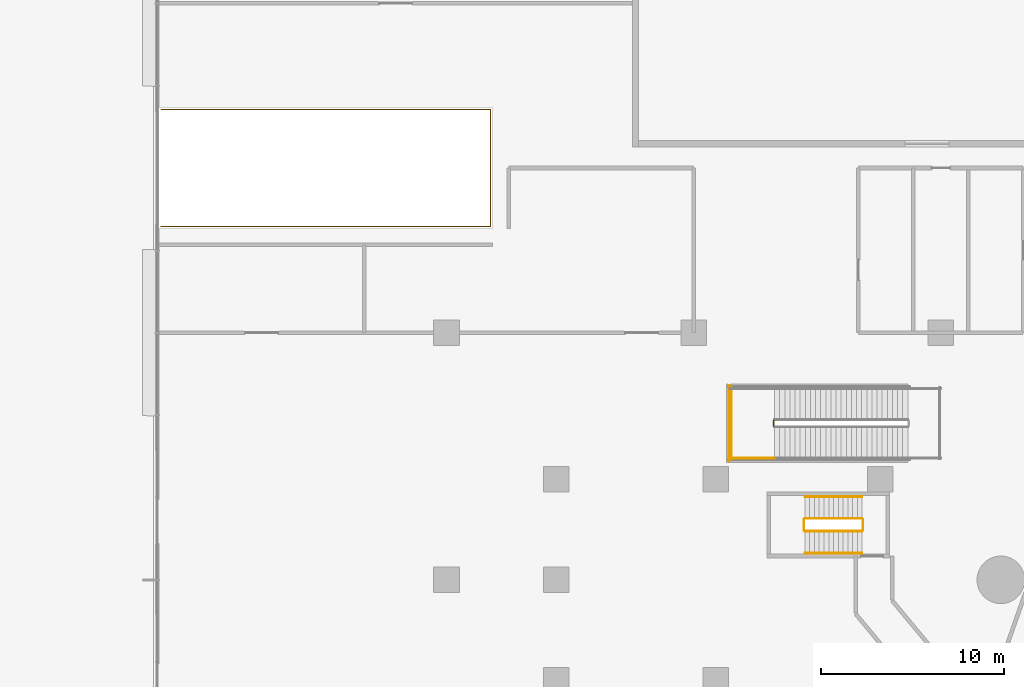
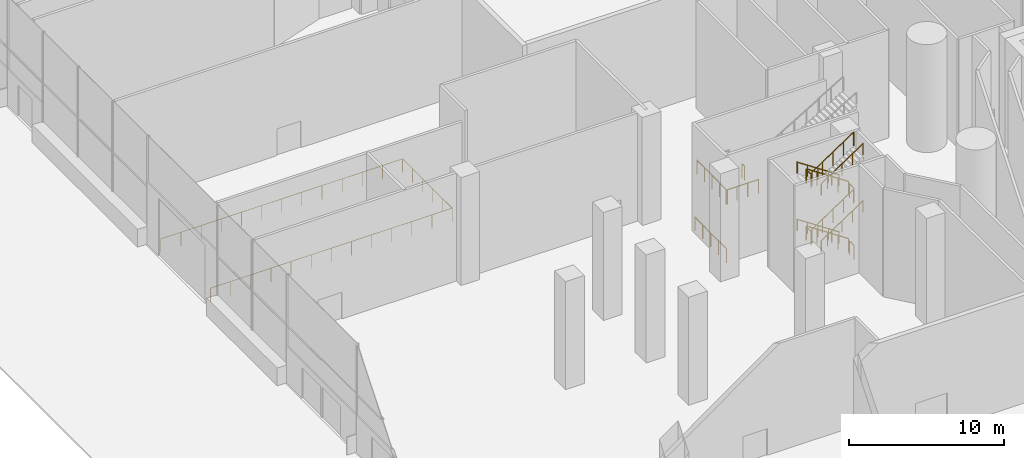
# One storey, part 45 of 54: 17 railings.
"""IFC4 building model written with IfcOpenShell, lengths in metres."""

from ifc_helpers import new_model, si_unit, direction, frame, origin, origin_2d, place, context, subcontext, project, spatial, circle, extrude, material, type_object, element, save


model = new_model("IFC4")

# Units and contexts
model_context = context("Model", 3, precision=1e-05, world=origin(), true_north=direction((0.0, 1.0)))
body_context = subcontext(model_context, "Body", "Model", "MODEL_VIEW")
ifc_project = project(units=[si_unit("LENGTHUNIT", "METRE"), si_unit("AREAUNIT", "SQUARE_METRE"), si_unit("VOLUMEUNIT", "CUBIC_METRE"), si_unit("PLANEANGLEUNIT", "RADIAN"), si_unit("MASSUNIT", "GRAM", prefix="KILO")], contexts=[model_context])

# Site, building, storey
site_placement = place(None, origin())
site = spatial("IfcSite", under=ifc_project, at=site_placement, CompositionType="ELEMENT")
building_placement = place(site_placement, origin())
building = spatial("IfcBuilding", under=site, at=building_placement, Name="Tamarind Cross Interchange Tower", CompositionType="ELEMENT")
storey_placement = place(building_placement, origin())
storey = spatial("IfcBuildingStorey", under=building, at=storey_placement, Name="L00", CompositionType="ELEMENT", Elevation=0.0)

# Railings
ifc_material_1 = material(Name="Public stair guard")
railing_type_1 = type_object("IfcRailingType", Name="Public stair guard", PredefinedType="GUARDRAIL", material=ifc_material_1)
railing_1_placement = place(storey_placement, frame((-36.1298828125, 8.699951171875, 4.5)))
element("IfcRailing", 1, at=railing_1_placement, inside=storey, type_object=railing_type_1, Name="L00 PS-W stair guard 2", PredefinedType="GUARDRAIL", context=body_context, shape_type="SweptSolid", body=[
    extrude(circle(Radius=0.02392578125, at=origin_2d()), frame((0.0, 0.0, 1.076171875), z_axis=(0.0, -1.0, 0.0), x_axis=(1.0, 0.0, 0.0)), (0.0, 0.0, 1.0), 0.300048828125),
    extrude(circle(Radius=0.02099609375, at=origin_2d()), origin(), (0.0, 0.0, 1.0), 1.052001953125),
    extrude(circle(Radius=0.02099609375, at=origin_2d()), frame((0.0, -0.300048828125, 0.0)), (0.0, 0.0, 1.0), 1.052001953125),
])
railing_2_placement = place(storey_placement, frame((-36.080078125, 6.64990234375, 4.5)))
element("IfcRailing", 2, at=railing_2_placement, inside=storey, type_object=railing_type_1, Name="L00 PS-W stair guard 4", PredefinedType="GUARDRAIL", context=body_context, shape_type="SweptSolid", body=[
    extrude(circle(Radius=0.02392578125, at=origin_2d()), frame((0.0, 0.0, 1.076171875), z_axis=(-1.0, 0.0, 0.0), x_axis=(0.0, -1.0, 0.0)), (0.0, 0.0, 1.0), 2.419921875),
    extrude(circle(Radius=0.02099609375, at=origin_2d()), origin(), (0.0, 0.0, 1.0), 1.052001953125),
    extrude(circle(Radius=0.02099609375, at=origin_2d()), frame((-0.806640625, 0.0, 0.0)), (0.0, 0.0, 1.0), 1.052001953125),
    extrude(circle(Radius=0.02099609375, at=origin_2d()), frame((-1.61328125, 0.0, 0.0)), (0.0, 0.0, 1.0), 1.052001953125),
    extrude(circle(Radius=0.02099609375, at=origin_2d()), frame((-2.419921875, 0.0, 0.0)), (0.0, 0.0, 1.0), 1.052001953125),
])
railing_3_placement = place(storey_placement, frame((-38.449951171875, 10.5, 4.5)))
element("IfcRailing", 3, at=railing_3_placement, inside=storey, type_object=railing_type_1, Name="L00 PS-W stair guard 5", PredefinedType="GUARDRAIL", context=body_context, shape_type="SweptSolid", body=[
    extrude(circle(Radius=0.02392578125, at=origin_2d()), frame((0.0, 0.0, 1.076171875), z_axis=(0.0, -1.0, 0.0), x_axis=(1.0, 0.0, 0.0)), (0.0, 0.0, 1.0), 3.89990234375),
    extrude(circle(Radius=0.02099609375, at=origin_2d()), origin(), (0.0, 0.0, 1.0), 1.052001953125),
    extrude(circle(Radius=0.02099609375, at=origin_2d()), frame((0.0, -0.97509765625, 0.0)), (0.0, 0.0, 1.0), 1.052001953125),
    extrude(circle(Radius=0.02099609375, at=origin_2d()), frame((0.0, -1.949951171875, 0.0)), (0.0, 0.0, 1.0), 1.052001953125),
    extrude(circle(Radius=0.02099609375, at=origin_2d()), frame((0.0, -2.9248046875, 0.0)), (0.0, 0.0, 1.0), 1.052001953125),
    extrude(circle(Radius=0.02099609375, at=origin_2d()), frame((0.0, -3.89990234375, 0.0)), (0.0, 0.0, 1.0), 1.052001953125),
])
railing_4_placement = place(storey_placement, frame((-38.550048828125, 10.60009765625, 0.0)))
element("IfcRailing", 4, at=railing_4_placement, inside=storey, type_object=railing_type_1, Name="L00 PS-W stair guard 13", PredefinedType="GUARDRAIL", context=body_context, shape_type="SweptSolid", body=[
    extrude(circle(Radius=0.02392578125, at=origin_2d()), frame((0.0, 0.0, 1.076171875), z_axis=(0.0, -1.0, 0.0), x_axis=(1.0, 0.0, 0.0)), (0.0, 0.0, 1.0), 4.10009765625),
    extrude(circle(Radius=0.02099609375, at=origin_2d()), origin(), (0.0, 0.0, 1.0), 1.052001953125),
    extrude(circle(Radius=0.02099609375, at=origin_2d()), frame((0.0, -1.02490234375, 0.0)), (0.0, 0.0, 1.0), 1.052001953125),
    extrude(circle(Radius=0.02099609375, at=origin_2d()), frame((0.0, -2.050048828125, 0.0)), (0.0, 0.0, 1.0), 1.052001953125),
    extrude(circle(Radius=0.02099609375, at=origin_2d()), frame((0.0, -3.0751953125, 0.0)), (0.0, 0.0, 1.0), 1.052001953125),
    extrude(circle(Radius=0.02099609375, at=origin_2d()), frame((0.0, -4.10009765625, 0.0)), (0.0, 0.0, 1.0), 1.052001953125),
])
ifc_material_2 = material(Name="Steel Q355B", Category="steel")
railing_type_2 = type_object("IfcRailingType", Name="Slab opening guard", PredefinedType="GUARDRAIL", material=ifc_material_2)
railing_5_placement = place(storey_placement, frame((-69.60009765625, 25.699951171875, 0.0)))
element("IfcRailing", 5, at=railing_5_placement, inside=storey, type_object=railing_type_2, Name="L00 ramp opening guard 1", PredefinedType="GUARDRAIL", context=body_context, shape_type="SweptSolid", body=[
    extrude(circle(Radius=0.02392578125, at=origin_2d()), frame((0.0, 0.0, 1.076171875), z_axis=(1.0, 0.0, 0.0), x_axis=(0.0, 1.0, 0.0)), (0.0, 0.0, 1.0), 18.0),
    extrude(circle(Radius=0.02392578125, at=origin_2d()), frame((18.0, 0.0, 1.076171875), z_axis=(0.0, -1.0, 0.0), x_axis=(1.0, 0.0, 0.0)), (0.0, 0.0, 1.0), 6.39990234375),
    extrude(circle(Radius=0.02392578125, at=origin_2d()), frame((18.0, -6.39990234375, 1.076171875), z_axis=(-1.0, 0.0, 0.0), x_axis=(0.0, -1.0, 0.0)), (0.0, 0.0, 1.0), 18.0),
    extrude(circle(Radius=0.02099609375, at=origin_2d()), origin(), (0.0, 0.0, 1.0), 1.052001953125),
    extrude(circle(Radius=0.02099609375, at=origin_2d()), frame((1.5, 0.0, 0.0)), (0.0, 0.0, 1.0), 1.052001953125),
    extrude(circle(Radius=0.02099609375, at=origin_2d()), frame((3.0, 0.0, 0.0)), (0.0, 0.0, 1.0), 1.052001953125),
    extrude(circle(Radius=0.02099609375, at=origin_2d()), frame((4.5, 0.0, 0.0)), (0.0, 0.0, 1.0), 1.052001953125),
    extrude(circle(Radius=0.02099609375, at=origin_2d()), frame((6.0, 0.0, 0.0)), (0.0, 0.0, 1.0), 1.052001953125),
    extrude(circle(Radius=0.02099609375, at=origin_2d()), frame((7.5, 0.0, 0.0)), (0.0, 0.0, 1.0), 1.052001953125),
    extrude(circle(Radius=0.02099609375, at=origin_2d()), frame((9.0, 0.0, 0.0)), (0.0, 0.0, 1.0), 1.052001953125),
    extrude(circle(Radius=0.02099609375, at=origin_2d()), frame((10.5, 0.0, 0.0)), (0.0, 0.0, 1.0), 1.052001953125),
    extrude(circle(Radius=0.02099609375, at=origin_2d()), frame((12.0, 0.0, 0.0)), (0.0, 0.0, 1.0), 1.052001953125),
    extrude(circle(Radius=0.02099609375, at=origin_2d()), frame((13.5, 0.0, 0.0)), (0.0, 0.0, 1.0), 1.052001953125),
    extrude(circle(Radius=0.02099609375, at=origin_2d()), frame((15.0, 0.0, 0.0)), (0.0, 0.0, 1.0), 1.052001953125),
    extrude(circle(Radius=0.02099609375, at=origin_2d()), frame((16.5, 0.0, 0.0)), (0.0, 0.0, 1.0), 1.052001953125),
    extrude(circle(Radius=0.02099609375, at=origin_2d()), frame((18.0, 0.0, 0.0)), (0.0, 0.0, 1.0), 1.052001953125),
    extrude(circle(Radius=0.02099609375, at=origin_2d()), frame((18.0, -1.280029296875, 0.0)), (0.0, 0.0, 1.0), 1.052001953125),
    extrude(circle(Radius=0.02099609375, at=origin_2d()), frame((18.0, -2.56005859375, 0.0)), (0.0, 0.0, 1.0), 1.052001953125),
    extrude(circle(Radius=0.02099609375, at=origin_2d()), frame((18.0, -3.83984375, 0.0)), (0.0, 0.0, 1.0), 1.052001953125),
    extrude(circle(Radius=0.02099609375, at=origin_2d()), frame((18.0, -5.119873046875, 0.0)), (0.0, 0.0, 1.0), 1.052001953125),
    extrude(circle(Radius=0.02099609375, at=origin_2d()), frame((18.0, -6.39990234375, 0.0)), (0.0, 0.0, 1.0), 1.052001953125),
    extrude(circle(Radius=0.02099609375, at=origin_2d()), frame((16.5, -6.39990234375, 0.0)), (0.0, 0.0, 1.0), 1.052001953125),
    extrude(circle(Radius=0.02099609375, at=origin_2d()), frame((15.0, -6.39990234375, 0.0)), (0.0, 0.0, 1.0), 1.052001953125),
    extrude(circle(Radius=0.02099609375, at=origin_2d()), frame((13.5, -6.39990234375, 0.0)), (0.0, 0.0, 1.0), 1.052001953125),
    extrude(circle(Radius=0.02099609375, at=origin_2d()), frame((12.0, -6.39990234375, 0.0)), (0.0, 0.0, 1.0), 1.052001953125),
    extrude(circle(Radius=0.02099609375, at=origin_2d()), frame((10.5, -6.39990234375, 0.0)), (0.0, 0.0, 1.0), 1.052001953125),
    extrude(circle(Radius=0.02099609375, at=origin_2d()), frame((9.0, -6.39990234375, 0.0)), (0.0, 0.0, 1.0), 1.052001953125),
    extrude(circle(Radius=0.02099609375, at=origin_2d()), frame((7.5, -6.39990234375, 0.0)), (0.0, 0.0, 1.0), 1.052001953125),
    extrude(circle(Radius=0.02099609375, at=origin_2d()), frame((6.0, -6.39990234375, 0.0)), (0.0, 0.0, 1.0), 1.052001953125),
    extrude(circle(Radius=0.02099609375, at=origin_2d()), frame((4.5, -6.39990234375, 0.0)), (0.0, 0.0, 1.0), 1.052001953125),
    extrude(circle(Radius=0.02099609375, at=origin_2d()), frame((3.0, -6.39990234375, 0.0)), (0.0, 0.0, 1.0), 1.052001953125),
    extrude(circle(Radius=0.02099609375, at=origin_2d()), frame((1.5, -6.39990234375, 0.0)), (0.0, 0.0, 1.0), 1.052001953125),
    extrude(circle(Radius=0.02099609375, at=origin_2d()), frame((0.0, -6.39990234375, 0.0)), (0.0, 0.0, 1.0), 1.052001953125),
])
ifc_material_3 = material(Name="Stair guard")
railing_type_3 = type_object("IfcRailingType", Name="Stair guard", PredefinedType="GUARDRAIL", material=ifc_material_3)
railing_6_placement = place(storey_placement, frame((-31.300048828125, 3.35009765625, 0.173095703125)))
element("IfcRailing", 6, at=railing_6_placement, inside=storey, type_object=railing_type_3, Name="L00 ST5 stair guard 1", PredefinedType="GUARDRAIL", context=body_context, shape_type="SweptSolid", body=[
    extrude(circle(Radius=0.02392578125, at=origin_2d()), frame((0.0, 0.0, 1.076171875), z_axis=(-0.832420903958, 0.0, 0.554143879018), x_axis=(0.0, -1.0, 0.0)), (0.0, 0.0, 1.0), 3.748046875),
    extrude(circle(Radius=0.02099609375, at=origin_2d()), origin(), (0.0, 0.0, 1.0), 1.052001953125),
    extrude(circle(Radius=0.02099609375, at=origin_2d()), frame((-0.780029296875, 0.0, 0.519287109375)), (0.0, 0.0, 1.0), 1.052001953125),
    extrude(circle(Radius=0.02099609375, at=origin_2d()), frame((-1.56005859375, 0.0, 1.03857421875)), (0.0, 0.0, 1.0), 1.052001953125),
    extrude(circle(Radius=0.02099609375, at=origin_2d()), frame((-2.33984375, 0.0, 1.5576171875)), (0.0, 0.0, 1.0), 1.052001953125),
    extrude(circle(Radius=0.02099609375, at=origin_2d()), frame((-3.119873046875, 0.0, 2.076904296875)), (0.0, 0.0, 1.0), 1.052001953125),
])
railing_7_placement = place(storey_placement, frame((-34.469970703125, 3.300048828125, 2.25)))
element("IfcRailing", 7, at=railing_7_placement, inside=storey, type_object=railing_type_3, Name="L00 ST5 stair guard 2", PredefinedType="GUARDRAIL", context=body_context, shape_type="SweptSolid", body=[
    extrude(circle(Radius=0.02392578125, at=origin_2d()), frame((0.0, 0.0, 1.076171875), z_axis=(0.0, -1.0, 0.0), x_axis=(1.0, 0.0, 0.0)), (0.0, 0.0, 1.0), 0.60009765625),
    extrude(circle(Radius=0.02099609375, at=origin_2d()), origin(), (0.0, 0.0, 1.0), 1.052001953125),
    extrude(circle(Radius=0.02099609375, at=origin_2d()), frame((0.0, -0.60009765625, 0.0)), (0.0, 0.0, 1.0), 1.052001953125),
])
railing_8_placement = place(storey_placement, frame((-34.419921875, 2.64990234375, 2.423095703125)))
element("IfcRailing", 8, at=railing_8_placement, inside=storey, type_object=railing_type_3, Name="L00 ST5 stair guard 3", PredefinedType="GUARDRAIL", context=body_context, shape_type="SweptSolid", body=[
    extrude(circle(Radius=0.02392578125, at=origin_2d()), frame((0.0, 0.0, 1.076171875), z_axis=(0.832420903958, 0.0, 0.554143879018), x_axis=(0.0, 1.0, 0.0)), (0.0, 0.0, 1.0), 3.748046875),
    extrude(circle(Radius=0.02099609375, at=origin_2d()), origin(), (0.0, 0.0, 1.0), 1.052001953125),
    extrude(circle(Radius=0.02099609375, at=origin_2d()), frame((0.780029296875, 0.0, 0.519287109375)), (0.0, 0.0, 1.0), 1.052001953125),
    extrude(circle(Radius=0.02099609375, at=origin_2d()), frame((1.56005859375, 0.0, 1.03857421875)), (0.0, 0.0, 1.0), 1.052001953125),
    extrude(circle(Radius=0.02099609375, at=origin_2d()), frame((2.33984375, 0.0, 1.5576171875)), (0.0, 0.0, 1.0), 1.052001953125),
    extrude(circle(Radius=0.02099609375, at=origin_2d()), frame((3.119873046875, 0.0, 2.076904296875)), (0.0, 0.0, 1.0), 1.052001953125),
])
railing_9_placement = place(storey_placement, frame((-31.25, 3.300048828125, 4.5)))
element("IfcRailing", 9, at=railing_9_placement, inside=storey, type_object=railing_type_3, Name="L00 ST5 stair guard 4", PredefinedType="GUARDRAIL", context=body_context, shape_type="SweptSolid", body=[
    extrude(circle(Radius=0.02392578125, at=origin_2d()), frame((0.0, 0.0, 1.076171875), z_axis=(0.0, -1.0, 0.0), x_axis=(1.0, 0.0, 0.0)), (0.0, 0.0, 1.0), 0.60009765625),
    extrude(circle(Radius=0.02099609375, at=origin_2d()), origin(), (0.0, 0.0, 1.0), 1.052001953125),
    extrude(circle(Radius=0.02099609375, at=origin_2d()), frame((0.0, -0.60009765625, 0.0)), (0.0, 0.0, 1.0), 1.052001953125),
])
railing_10_placement = place(storey_placement, frame((-31.300048828125, 3.35009765625, 4.673095703125)))
element("IfcRailing", 10, at=railing_10_placement, inside=storey, type_object=railing_type_3, Name="L00 ST5 stair guard 5", PredefinedType="GUARDRAIL", context=body_context, shape_type="SweptSolid", body=[
    extrude(circle(Radius=0.02392578125, at=origin_2d()), frame((0.0, 0.0, 1.076171875), z_axis=(-0.832420903958, 0.0, 0.554143879018), x_axis=(0.0, -1.0, 0.0)), (0.0, 0.0, 1.0), 3.748046875),
    extrude(circle(Radius=0.02099609375, at=origin_2d()), origin(), (0.0, 0.0, 1.0), 1.052001953125),
    extrude(circle(Radius=0.02099609375, at=origin_2d()), frame((-0.780029296875, 0.0, 0.519287109375)), (0.0, 0.0, 1.0), 1.052001953125),
    extrude(circle(Radius=0.02099609375, at=origin_2d()), frame((-1.56005859375, 0.0, 1.03857421875)), (0.0, 0.0, 1.0), 1.052001953125),
    extrude(circle(Radius=0.02099609375, at=origin_2d()), frame((-2.33984375, 0.0, 1.5576171875)), (0.0, 0.0, 1.0), 1.052001953125),
    extrude(circle(Radius=0.02099609375, at=origin_2d()), frame((-3.119873046875, 0.0, 2.076904296875)), (0.0, 0.0, 1.0), 1.052001953125),
])
railing_11_placement = place(storey_placement, frame((-34.469970703125, 3.300048828125, 6.75)))
element("IfcRailing", 11, at=railing_11_placement, inside=storey, type_object=railing_type_3, Name="L00 ST5 stair guard 6", PredefinedType="GUARDRAIL", context=body_context, shape_type="SweptSolid", body=[
    extrude(circle(Radius=0.02392578125, at=origin_2d()), frame((0.0, 0.0, 1.076171875), z_axis=(0.0, -1.0, 0.0), x_axis=(1.0, 0.0, 0.0)), (0.0, 0.0, 1.0), 0.60009765625),
    extrude(circle(Radius=0.02099609375, at=origin_2d()), origin(), (0.0, 0.0, 1.0), 1.052001953125),
    extrude(circle(Radius=0.02099609375, at=origin_2d()), frame((0.0, -0.60009765625, 0.0)), (0.0, 0.0, 1.0), 1.052001953125),
])
railing_12_placement = place(storey_placement, frame((-34.419921875, 2.64990234375, 6.923095703125)))
element("IfcRailing", 12, at=railing_12_placement, inside=storey, type_object=railing_type_3, Name="L00 ST5 stair guard 7", PredefinedType="GUARDRAIL", context=body_context, shape_type="SweptSolid", body=[
    extrude(circle(Radius=0.02392578125, at=origin_2d()), frame((0.0, 0.0, 1.076171875), z_axis=(0.832420903958, 0.0, 0.554143879018), x_axis=(0.0, 1.0, 0.0)), (0.0, 0.0, 1.0), 3.748046875),
    extrude(circle(Radius=0.02099609375, at=origin_2d()), origin(), (0.0, 0.0, 1.0), 1.052001953125),
    extrude(circle(Radius=0.02099609375, at=origin_2d()), frame((0.780029296875, 0.0, 0.519287109375)), (0.0, 0.0, 1.0), 1.052001953125),
    extrude(circle(Radius=0.02099609375, at=origin_2d()), frame((1.56005859375, 0.0, 1.03857421875)), (0.0, 0.0, 1.0), 1.052001953125),
    extrude(circle(Radius=0.02099609375, at=origin_2d()), frame((2.33984375, 0.0, 1.5576171875)), (0.0, 0.0, 1.0), 1.052001953125),
    extrude(circle(Radius=0.02099609375, at=origin_2d()), frame((3.119873046875, 0.0, 2.076904296875)), (0.0, 0.0, 1.0), 1.052001953125),
])
railing_13_placement = place(storey_placement, frame((-31.25, 3.300048828125, 0.0)))
element("IfcRailing", 13, at=railing_13_placement, inside=storey, type_object=railing_type_3, Name="L00 ST5 stair guard 8", PredefinedType="GUARDRAIL", context=body_context, shape_type="SweptSolid", body=[
    extrude(circle(Radius=0.02392578125, at=origin_2d()), frame((0.0, 0.0, 1.076171875), z_axis=(0.0, -1.0, 0.0), x_axis=(1.0, 0.0, 0.0)), (0.0, 0.0, 1.0), 0.60009765625),
    extrude(circle(Radius=0.02099609375, at=origin_2d()), origin(), (0.0, 0.0, 1.0), 1.052001953125),
    extrude(circle(Radius=0.02099609375, at=origin_2d()), frame((0.0, -0.60009765625, 0.0)), (0.0, 0.0, 1.0), 1.052001953125),
])
ifc_material_4 = material(Name="Stair handrail")
railing_type_4 = type_object("IfcRailingType", Name="Stair handrail", PredefinedType="HANDRAIL", material=ifc_material_4)
railing_14_placement = place(storey_placement, frame((-31.300048828125, 4.550048828125, 0.173095703125)))
element("IfcRailing", 14, at=railing_14_placement, inside=storey, type_object=railing_type_4, Name="L00 ST5 stair handrail 1", PredefinedType="HANDRAIL", context=body_context, shape_type="SweptSolid", body=[
    extrude(circle(Radius=0.02392578125, at=origin_2d()), frame((0.0, 0.0, 0.8759765625), z_axis=(-0.832420903958, 0.0, 0.554143879018), x_axis=(0.0, -1.0, 0.0)), (0.0, 0.0, 1.0), 3.748046875),
    extrude(circle(Radius=0.02099609375, at=origin_2d()), origin(), (0.0, 0.0, 1.0), 0.851806640625),
    extrude(circle(Radius=0.02099609375, at=origin_2d()), frame((-0.780029296875, 0.0, 0.519287109375)), (0.0, 0.0, 1.0), 0.851806640625),
    extrude(circle(Radius=0.02099609375, at=origin_2d()), frame((-1.56005859375, 0.0, 1.03857421875)), (0.0, 0.0, 1.0), 0.851806640625),
    extrude(circle(Radius=0.02099609375, at=origin_2d()), frame((-2.33984375, 0.0, 1.5576171875)), (0.0, 0.0, 1.0), 0.851806640625),
    extrude(circle(Radius=0.02099609375, at=origin_2d()), frame((-3.119873046875, 0.0, 2.076904296875)), (0.0, 0.0, 1.0), 0.851806640625),
])
railing_15_placement = place(storey_placement, frame((-34.419921875, 1.449951171875, 2.423095703125)))
element("IfcRailing", 15, at=railing_15_placement, inside=storey, type_object=railing_type_4, Name="L00 ST5 stair handrail 2", PredefinedType="HANDRAIL", context=body_context, shape_type="SweptSolid", body=[
    extrude(circle(Radius=0.02392578125, at=origin_2d()), frame((0.0, 0.0, 0.8759765625), z_axis=(0.832420903958, 0.0, 0.554143879018), x_axis=(0.0, 1.0, 0.0)), (0.0, 0.0, 1.0), 3.748046875),
    extrude(circle(Radius=0.02099609375, at=origin_2d()), origin(), (0.0, 0.0, 1.0), 0.851806640625),
    extrude(circle(Radius=0.02099609375, at=origin_2d()), frame((0.780029296875, 0.0, 0.519287109375)), (0.0, 0.0, 1.0), 0.851806640625),
    extrude(circle(Radius=0.02099609375, at=origin_2d()), frame((1.56005859375, 0.0, 1.03857421875)), (0.0, 0.0, 1.0), 0.851806640625),
    extrude(circle(Radius=0.02099609375, at=origin_2d()), frame((2.33984375, 0.0, 1.5576171875)), (0.0, 0.0, 1.0), 0.851806640625),
    extrude(circle(Radius=0.02099609375, at=origin_2d()), frame((3.119873046875, 0.0, 2.076904296875)), (0.0, 0.0, 1.0), 0.851806640625),
])
railing_16_placement = place(storey_placement, frame((-31.300048828125, 4.550048828125, 4.673095703125)))
element("IfcRailing", 16, at=railing_16_placement, inside=storey, type_object=railing_type_4, Name="L00 ST5 stair handrail 3", PredefinedType="HANDRAIL", context=body_context, shape_type="SweptSolid", body=[
    extrude(circle(Radius=0.02392578125, at=origin_2d()), frame((0.0, 0.0, 0.8759765625), z_axis=(-0.832420903958, 0.0, 0.554143879018), x_axis=(0.0, -1.0, 0.0)), (0.0, 0.0, 1.0), 3.748046875),
    extrude(circle(Radius=0.02099609375, at=origin_2d()), origin(), (0.0, 0.0, 1.0), 0.851806640625),
    extrude(circle(Radius=0.02099609375, at=origin_2d()), frame((-0.780029296875, 0.0, 0.519287109375)), (0.0, 0.0, 1.0), 0.851806640625),
    extrude(circle(Radius=0.02099609375, at=origin_2d()), frame((-1.56005859375, 0.0, 1.03857421875)), (0.0, 0.0, 1.0), 0.851806640625),
    extrude(circle(Radius=0.02099609375, at=origin_2d()), frame((-2.33984375, 0.0, 1.5576171875)), (0.0, 0.0, 1.0), 0.851806640625),
    extrude(circle(Radius=0.02099609375, at=origin_2d()), frame((-3.119873046875, 0.0, 2.076904296875)), (0.0, 0.0, 1.0), 0.851806640625),
])
railing_17_placement = place(storey_placement, frame((-34.419921875, 1.449951171875, 6.923095703125)))
element("IfcRailing", 17, at=railing_17_placement, inside=storey, type_object=railing_type_4, Name="L00 ST5 stair handrail 4", PredefinedType="HANDRAIL", context=body_context, shape_type="SweptSolid", body=[
    extrude(circle(Radius=0.02392578125, at=origin_2d()), frame((0.0, 0.0, 0.8759765625), z_axis=(0.832420903958, 0.0, 0.554143879018), x_axis=(0.0, 1.0, 0.0)), (0.0, 0.0, 1.0), 3.748046875),
    extrude(circle(Radius=0.02099609375, at=origin_2d()), origin(), (0.0, 0.0, 1.0), 0.851806640625),
    extrude(circle(Radius=0.02099609375, at=origin_2d()), frame((0.780029296875, 0.0, 0.519287109375)), (0.0, 0.0, 1.0), 0.851806640625),
    extrude(circle(Radius=0.02099609375, at=origin_2d()), frame((1.56005859375, 0.0, 1.03857421875)), (0.0, 0.0, 1.0), 0.851806640625),
    extrude(circle(Radius=0.02099609375, at=origin_2d()), frame((2.33984375, 0.0, 1.5576171875)), (0.0, 0.0, 1.0), 0.851806640625),
    extrude(circle(Radius=0.02099609375, at=origin_2d()), frame((3.119873046875, 0.0, 2.076904296875)), (0.0, 0.0, 1.0), 0.851806640625),
])

save(model, "model.ifc")
